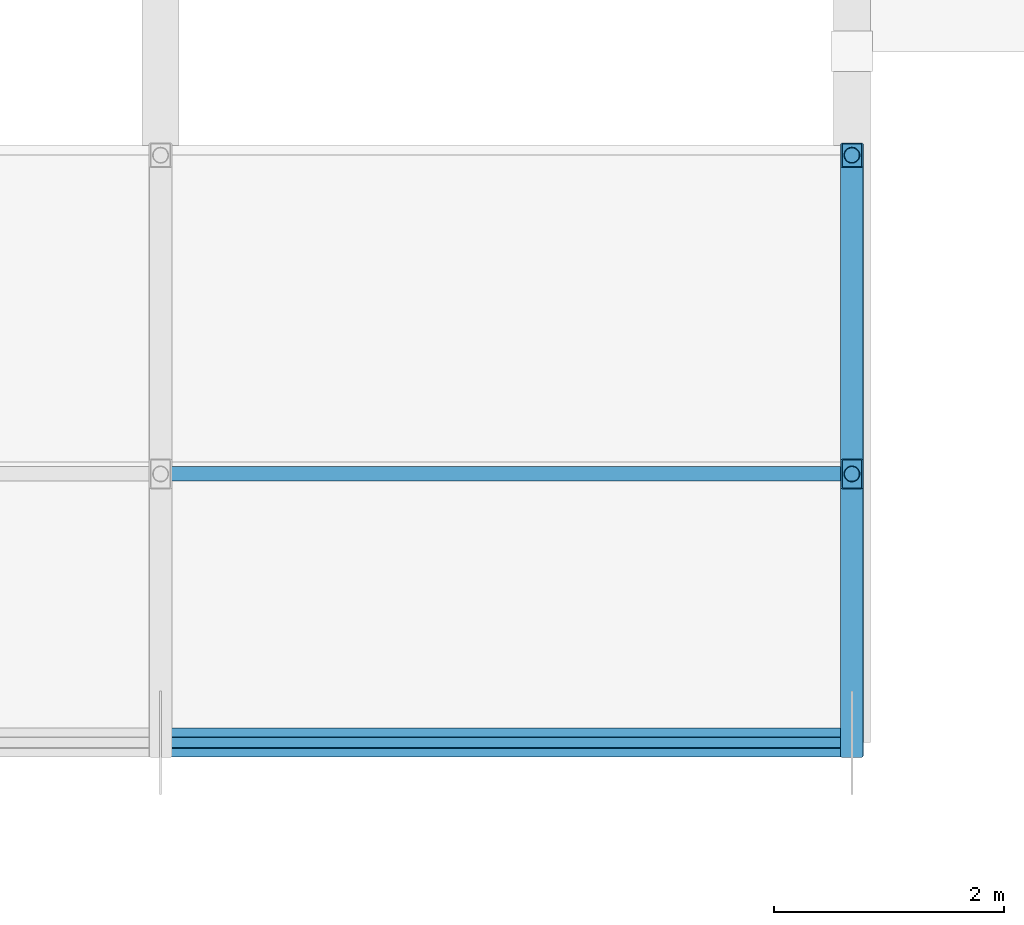
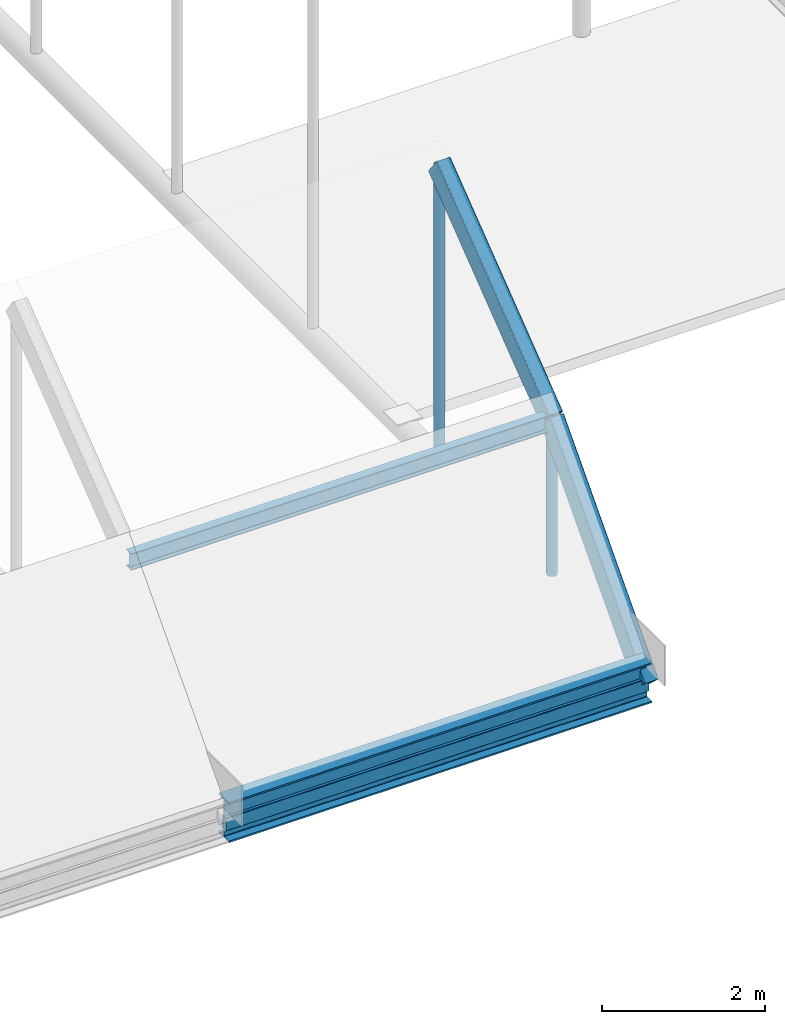
# One storey, part 44 of 116: 4 members, 3 beams.
"""IFC4 building model written with IfcOpenShell, lengths in metres."""

from ifc_helpers import new_model, si_unit, direction, frame, origin, origin_2d, place, context, subcontext, project, spatial, hollow_rectangle, hollow_circle, i_section, extrude, material, material_profile, profile_set, type_object, element, save


model = new_model("IFC4")

# Units and contexts
model_context = context("Model", 3, precision=1e-05, world=origin(), true_north=direction((0.0, 1.0)))
body_context = subcontext(model_context, "Body", "Model", "MODEL_VIEW")
ifc_project = project(units=[si_unit("LENGTHUNIT", "METRE"), si_unit("AREAUNIT", "SQUARE_METRE"), si_unit("VOLUMEUNIT", "CUBIC_METRE"), si_unit("PLANEANGLEUNIT", "RADIAN"), si_unit("MASSUNIT", "GRAM", prefix="KILO")], contexts=[model_context])

# Site, building, storey
site_placement = place(None, origin())
site = spatial("IfcSite", under=ifc_project, at=site_placement, CompositionType="ELEMENT")
building_placement = place(site_placement, origin())
building = spatial("IfcBuilding", under=site, at=building_placement, Name="Varnakota Square Police Headquarters", CompositionType="ELEMENT")
storey_placement = place(building_placement, frame((0.0, 0.0, 9.300048828125)))
storey = spatial("IfcBuildingStorey", under=building, at=storey_placement, Name="L02", CompositionType="ELEMENT", Elevation=9.300048828125)

# Beams
ifc_material = material(Name="Steel IS 2062 Grade 350", Category="steel")
ifc_material_profile_1 = material_profile(ifc_material, i_section(OverallWidth=0.25, OverallDepth=0.60009765625, WebThickness=0.01171875, FlangeThickness=0.023681640625, FilletRadius=0.01708984375, at=origin_2d()), Name="ISWB 600")
ifc_profile_set_1 = profile_set([ifc_material_profile_1], Name="Steel IS 2062 Grade 350")
beam_type_1 = type_object("IfcBeamType", Name="BM-ISWB600", PredefinedType="BEAM", material=ifc_profile_set_1)
beam_1_placement = place(storey_placement, frame((90.0, 9.0, -0.300048828125), z_axis=(1.0, 0.0, 0.0), x_axis=(0.0, 1.0, 0.0)))
element("IfcBeam", 1, at=beam_1_placement, inside=storey, type_object=beam_type_1, Name="Vault V1 south ring beam", PredefinedType="BEAM", context=body_context, shape_type="SweptSolid", body=[
    extrude(i_section(OverallWidth=0.25, OverallDepth=0.60009765625, WebThickness=0.01171875, FlangeThickness=0.023681640625, FilletRadius=0.01708984375, at=origin_2d()), origin(), (0.0, 0.0, 1.0), 6.0),
])
ifc_material_profile_2 = material_profile(ifc_material, hollow_rectangle(XDim=0.199951171875, YDim=0.35009765625, WallThickness=0.011962890625, InnerFilletRadius=0.011962890625, OuterFilletRadius=0.02392578125, at=origin_2d()), Name="RHS 350x200x12")
ifc_profile_set_2 = profile_set([ifc_material_profile_2], Name="Steel IS 2062 Grade 350")
beam_type_2 = type_object("IfcBeamType", Name="BM-VR-RHS350", PredefinedType="BEAM", material=ifc_profile_set_2)
beam_2_placement = place(storey_placement, frame((96.0, 9.0, -0.3916015625), z_axis=(0.0, 0.671520631111, 0.740985858159), x_axis=(-1.0, 0.0, 0.0)))
element("IfcBeam", 2, at=beam_2_placement, inside=storey, type_object=beam_type_2, Name="Barrel vault arch rib chord VR-V1-R08-S01", PredefinedType="BEAM", context=body_context, shape_type="SweptSolid", body=[
    extrude(hollow_rectangle(XDim=0.199951171875, YDim=0.35009765625, WallThickness=0.011962890625, InnerFilletRadius=0.011962890625, OuterFilletRadius=0.02392578125, at=origin_2d()), origin(), (0.0, 0.0, 1.0), 3.472412109375),
])
beam_3_placement = place(storey_placement, frame((96.0, 11.331787109375, 2.181396484375), z_axis=(0.0, 0.792062306817, 0.610440252703), x_axis=(-1.0, 0.0, 0.0)))
element("IfcBeam", 3, at=beam_3_placement, inside=storey, type_object=beam_type_2, Name="Barrel vault arch rib chord VR-V1-R08-S02", PredefinedType="BEAM", context=body_context, shape_type="SweptSolid", body=[
    extrude(hollow_rectangle(XDim=0.199951171875, YDim=0.35009765625, WallThickness=0.011962890625, InnerFilletRadius=0.011962890625, OuterFilletRadius=0.02392578125, at=origin_2d()), origin(), (0.0, 0.0, 1.0), 3.4921875),
])

# Members
ifc_material_profile_3 = material_profile(ifc_material, hollow_circle(Radius=0.06982421875, WallThickness=0.006103515625, at=origin_2d()), Name="CHS 139.7x6.0")
ifc_profile_set_3 = profile_set([ifc_material_profile_3], Name="Steel IS 2062 Grade 350")
member_type_1 = type_object("IfcMemberType", Name="MEM-HNG-CHS139", PredefinedType="STRUT", material=ifc_profile_set_3)
member_1_placement = place(storey_placement, frame((96.0, 11.331787109375, -0.150146484375), z_axis=(0.0, 0.0, 1.0), x_axis=(1.0, 0.0, 0.0)))
element("IfcMember", 4, at=member_1_placement, inside=storey, type_object=member_type_1, Name="Barrel vault hanger strut V1-R08-N1", PredefinedType="STRUT", context=body_context, shape_type="SweptSolid", body=[
    extrude(hollow_circle(Radius=0.06982421875, WallThickness=0.006103515625, at=origin_2d()), origin(), (0.0, 0.0, 1.0), 2.33154296875),
])
member_2_placement = place(storey_placement, frame((96.0, 14.097900390625, -0.150146484375), z_axis=(0.0, 0.0, 1.0), x_axis=(1.0, 0.0, 0.0)))
element("IfcMember", 5, at=member_2_placement, inside=storey, type_object=member_type_1, Name="Barrel vault hanger strut V1-R08-N2", PredefinedType="STRUT", context=body_context, shape_type="SweptSolid", body=[
    extrude(hollow_circle(Radius=0.06982421875, WallThickness=0.006103515625, at=origin_2d()), origin(), (0.0, 0.0, 1.0), 4.46337890625),
])
ifc_material_profile_4 = material_profile(ifc_material, i_section(OverallWidth=0.125, OverallDepth=0.25, WebThickness=0.0068359375, FlangeThickness=0.012451171875, FilletRadius=0.012939453125, at=origin_2d()), Name="ISMB 250")
ifc_profile_set_4 = profile_set([ifc_material_profile_4], Name="Steel IS 2062 Grade 350")
member_type_2 = type_object("IfcMemberType", Name="MEM-PUR-ISMB250", PredefinedType="PURLIN", material=ifc_profile_set_4)
member_3_placement = place(storey_placement, frame((90.0, 11.331787109375, 2.156494140625), z_axis=(1.0, 0.0, 0.0), x_axis=(0.0, 1.0, 0.0)))
element("IfcMember", 6, at=member_3_placement, inside=storey, type_object=member_type_2, Name="Vault roof purlin V1-B07-N01", PredefinedType="PURLIN", context=body_context, shape_type="SweptSolid", body=[
    extrude(i_section(OverallWidth=0.125, OverallDepth=0.25, WebThickness=0.0068359375, FlangeThickness=0.012451171875, FilletRadius=0.012939453125, at=origin_2d()), origin(), (0.0, 0.0, 1.0), 6.0),
])
ifc_material_profile_5 = material_profile(ifc_material, hollow_rectangle(XDim=0.10009765625, YDim=0.199951171875, WallThickness=0.008056640625, InnerFilletRadius=0.008056640625, OuterFilletRadius=0.01611328125, at=origin_2d()), Name="RHS 200x100x8")
ifc_profile_set_5 = profile_set([ifc_material_profile_5], Name="Steel IS 2062 Grade 350")
member_type_3 = type_object("IfcMemberType", Name="MEM-PUR-RHS200", PredefinedType="PURLIN", material=ifc_profile_set_5)
member_4_placement = place(storey_placement, frame((90.0, 9.0, -0.377685546875), z_axis=(1.0, 0.0, 0.0), x_axis=(0.0, 1.0, 0.0)))
element("IfcMember", 7, at=member_4_placement, inside=storey, type_object=member_type_3, Name="Vault roof purlin V1-B07-N00", PredefinedType="PURLIN", context=body_context, shape_type="SweptSolid", body=[
    extrude(hollow_rectangle(XDim=0.10009765625, YDim=0.199951171875, WallThickness=0.008056640625, InnerFilletRadius=0.008056640625, OuterFilletRadius=0.01611328125, at=origin_2d()), origin(), (0.0, 0.0, 1.0), 6.0),
])

save(model, "model.ifc")
